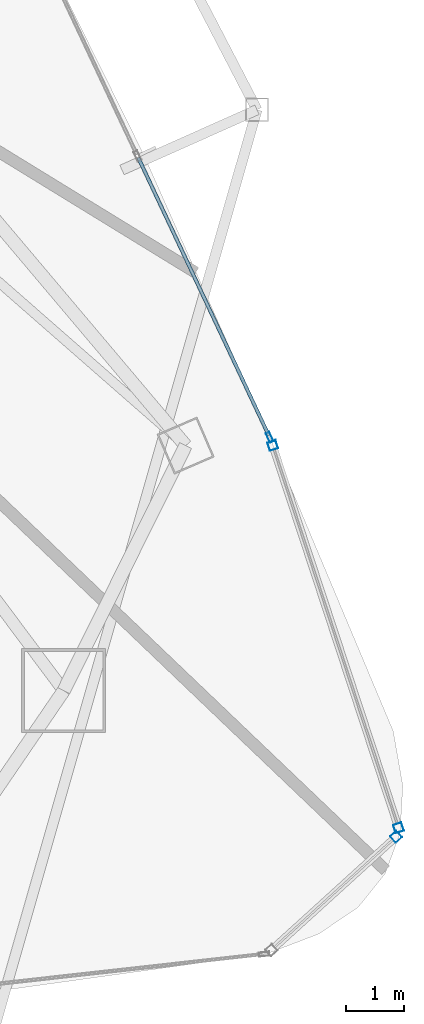
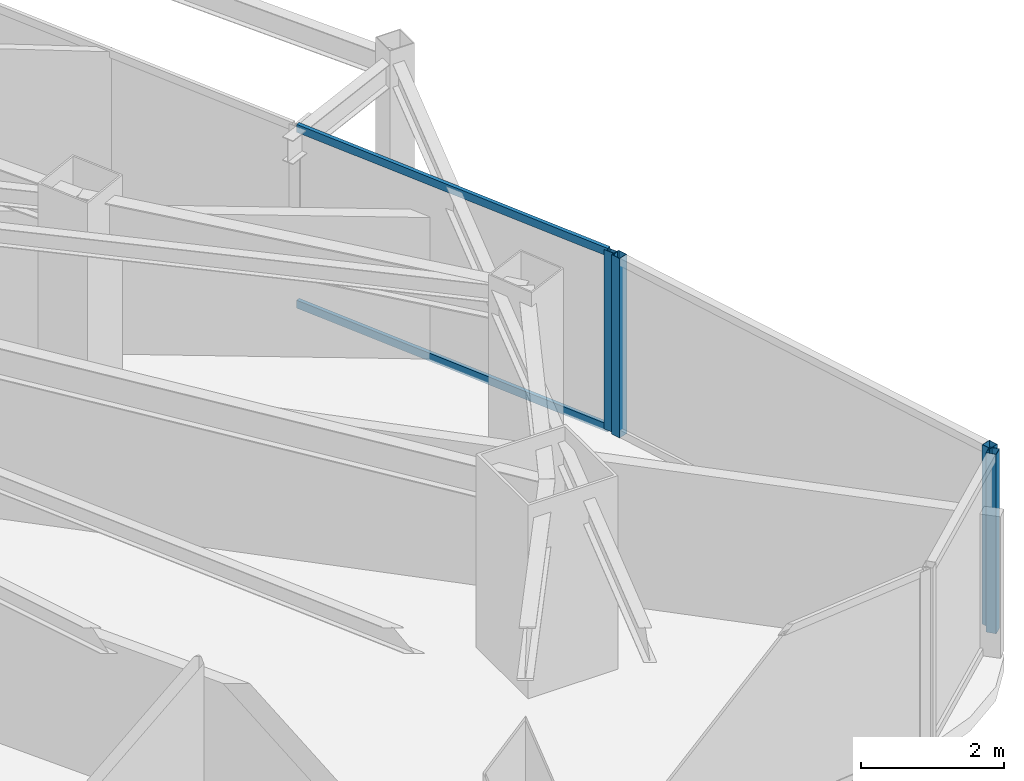
# One storey, part 15 of 29: 6 members, 3 elements without a shape of their own.
"""IFC4 building model written with IfcOpenShell, lengths in metres."""

from ifc_helpers import new_model, si_unit, direction, frame, origin, origin_2d, place, context, subcontext, project, spatial, hollow_rectangle, extrude, material, layer, layer_set, material_profile, profile_set, type_object, element, aggregate, save


model = new_model("IFC4")

# Units and contexts
model_context = context("Model", 3, precision=1e-05, world=origin(), true_north=direction((0.0, 1.0)))
body_context = subcontext(model_context, "Body", "Model", "MODEL_VIEW")
ifc_project = project(units=[si_unit("LENGTHUNIT", "METRE"), si_unit("AREAUNIT", "SQUARE_METRE"), si_unit("VOLUMEUNIT", "CUBIC_METRE"), si_unit("PLANEANGLEUNIT", "RADIAN"), si_unit("MASSUNIT", "GRAM", prefix="KILO")], contexts=[model_context])

# Site, building, storey
site_placement = place(None, origin())
site = spatial("IfcSite", under=ifc_project, at=site_placement, CompositionType="ELEMENT")
building_placement = place(site_placement, origin())
building = spatial("IfcBuilding", under=site, at=building_placement, Name="Orvanel Arch Residences", CompositionType="ELEMENT")
storey_placement = place(building_placement, frame((0.0, 0.0, 173.75)))
storey = spatial("IfcBuildingStorey", under=building, at=storey_placement, Name="L49", CompositionType="ELEMENT", Elevation=173.75)

# Curtain wall, member
ifc_material = material(Name="Bronze-anodised aluminium AA6063-T6", Category="aluminium")
ifc_layer_1 = layer(ifc_material, 0.18994140625)
ifc_layer_set_1 = layer_set([ifc_layer_1], Name="Bronze-anodised aluminium AA6063-T6")
curtain_wall_type_1 = type_object("IfcCurtainWallType", Name="CW5-CRN-SYS", PredefinedType="NOTDEFINED", material=ifc_layer_set_1)
curtain_wall_1_placement = place(storey_placement, origin())
curtain_wall_1 = element("IfcCurtainWall", 1, at=curtain_wall_1_placement, inside=storey, type_object=curtain_wall_type_1, Name="L49 CW5-CRN-SYS Unitised Curtain Wall", PredefinedType="NOTDEFINED")
ifc_material_profile_1 = material_profile(ifc_material, hollow_rectangle(XDim=0.14990234375, YDim=0.14990234375, WallThickness=0.0048828125, at=origin_2d()), Name="ALU150x150x5")
ifc_profile_set_1 = profile_set([ifc_material_profile_1], Name="Bronze-anodised aluminium AA6063-T6")
member_type_1 = type_object("IfcMemberType", Name="MUL-150x150", PredefinedType="MULLION", material=ifc_profile_set_1)
member_1_placement = place(storey_placement, frame((57.53759765625, 7.83056640625, 0.0), z_axis=(0.0, 0.0, 1.0), x_axis=(-0.672461234192, 0.740132345266, 0.0)))
member_1 = element("IfcMember", 2, at=member_1_placement, type_object=member_type_1, Name="CW-S5 mullion 2", PredefinedType="MULLION", context=body_context, shape_type="SweptSolid", body=[
    extrude(hollow_rectangle(XDim=0.14990234375, YDim=0.14990234375, WallThickness=0.0048828125, at=origin_2d()), origin(), (0.0, 0.0, 1.0), 3.06005859375),
])
aggregate(curtain_wall_1, [member_1])

# Curtain wall, members
curtain_wall_2_placement = place(storey_placement, origin())
curtain_wall_2 = element("IfcCurtainWall", 3, at=curtain_wall_2_placement, inside=storey, type_object=curtain_wall_type_1, Name="L49 CW5-CRN-SYS Unitised Curtain Wall", PredefinedType="NOTDEFINED")
member_2_placement = place(storey_placement, frame((57.57861328125, 7.984130859375, 0.0), z_axis=(0.0, 0.0, 1.0), x_axis=(-0.949943951015, -0.312420373744, 0.0)))
member_2 = element("IfcMember", 4, at=member_2_placement, type_object=member_type_1, Name="CW-S5 mullion 1", PredefinedType="MULLION", context=body_context, shape_type="SweptSolid", body=[
    extrude(hollow_rectangle(XDim=0.14990234375, YDim=0.14990234375, WallThickness=0.0048828125, at=origin_2d()), origin(), (0.0, 0.0, 1.0), 3.06005859375),
])
member_3_placement = place(storey_placement, frame((55.408447265625, 14.582763671875, 0.0), z_axis=(0.0, 0.0, 1.0), x_axis=(-0.949943951015, -0.312420373744, 0.0)))
member_3 = element("IfcMember", 5, at=member_3_placement, type_object=member_type_1, Name="CW-S5 mullion 2", PredefinedType="MULLION", context=body_context, shape_type="SweptSolid", body=[
    extrude(hollow_rectangle(XDim=0.14990234375, YDim=0.14990234375, WallThickness=0.0048828125, at=origin_2d()), origin(), (0.0, 0.0, 1.0), 3.06005859375),
])
aggregate(curtain_wall_2, [member_2, member_3])

ifc_layer_2 = layer(ifc_material, 0.179931640625)
ifc_layer_set_2 = layer_set([ifc_layer_2], Name="Bronze-anodised aluminium AA6063-T6")
curtain_wall_type_2 = type_object("IfcCurtainWallType", Name="CW3-MID-SYS", PredefinedType="NOTDEFINED", material=ifc_layer_set_2)
curtain_wall_3_placement = place(storey_placement, origin())
curtain_wall_3 = element("IfcCurtainWall", 6, at=curtain_wall_3_placement, inside=storey, type_object=curtain_wall_type_2, Name="L49 CW3-MID-SYS Unitised Curtain Wall", PredefinedType="NOTDEFINED")
ifc_material_profile_2 = material_profile(ifc_material, hollow_rectangle(XDim=0.070068359375, YDim=0.179931640625, WallThickness=0.00439453125, at=origin_2d()), Name="ALU180x70x4.5")
ifc_profile_set_2 = profile_set([ifc_material_profile_2], Name="Bronze-anodised aluminium AA6063-T6")
member_type_2 = type_object("IfcMemberType", Name="MUL-180x70", PredefinedType="MULLION", material=ifc_profile_set_2)
member_4_placement = place(storey_placement, frame((55.355224609375, 14.72265625, 0.0), z_axis=(0.0, 0.0, 1.0), x_axis=(-0.905089296983, -0.425221547533, 0.0)))
member_4 = element("IfcMember", 7, at=member_4_placement, type_object=member_type_2, Name="CW-S3 mullion 1", PredefinedType="MULLION", context=body_context, shape_type="SweptSolid", body=[
    extrude(hollow_rectangle(XDim=0.070068359375, YDim=0.179931640625, WallThickness=0.00439453125, at=origin_2d()), origin(), (0.0, 0.0, 1.0), 3.06005859375),
])
ifc_material_profile_3 = material_profile(ifc_material, hollow_rectangle(XDim=0.06005859375, YDim=0.135009765625, WallThickness=0.00390625, at=origin_2d()), Name="ALU135x60x4")
ifc_profile_set_3 = profile_set([ifc_material_profile_3], Name="Bronze-anodised aluminium AA6063-T6")
member_type_3 = type_object("IfcMemberType", Name="TRN-135x60", PredefinedType="USERDEFINED", material=ifc_profile_set_3)
member_5_placement = place(storey_placement, frame((55.34033203125, 14.75439453125, 0.030029296875), z_axis=(-0.42523722933, 0.905081929325, 0.0), x_axis=(-0.905081929325, -0.42523722933, 0.0)))
member_5 = element("IfcMember", 8, at=member_5_placement, type_object=member_type_3, Name="CW-S3 transom 1.1", ObjectType="TRANSOM", PredefinedType="USERDEFINED", context=body_context, shape_type="SweptSolid", body=[
    extrude(hollow_rectangle(XDim=0.06005859375, YDim=0.135009765625, WallThickness=0.00390625, at=origin_2d()), origin(), (0.0, 0.0, 1.0), 5.29345703125),
])
member_6_placement = place(storey_placement, frame((55.34033203125, 14.75439453125, 3.030029296875), z_axis=(-0.42523722933, 0.905081929325, 0.0), x_axis=(-0.905081929325, -0.42523722933, 0.0)))
member_6 = element("IfcMember", 9, at=member_6_placement, type_object=member_type_3, Name="CW-S3 transom 1.2", ObjectType="TRANSOM", PredefinedType="USERDEFINED", context=body_context, shape_type="SweptSolid", body=[
    extrude(hollow_rectangle(XDim=0.06005859375, YDim=0.135009765625, WallThickness=0.00390625, at=origin_2d()), origin(), (0.0, 0.0, 1.0), 5.29345703125),
])
aggregate(curtain_wall_3, [member_4, member_5, member_6])

save(model, "model.ifc")
